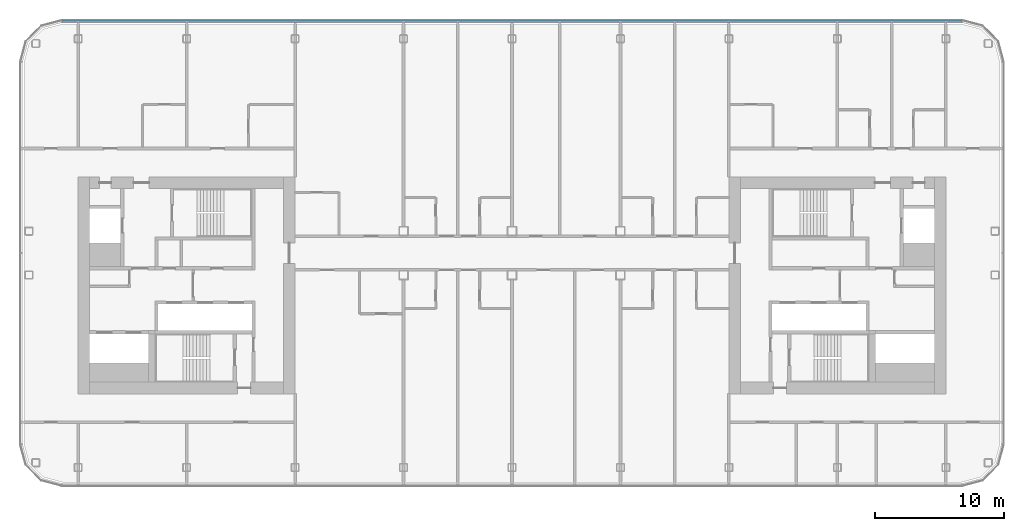
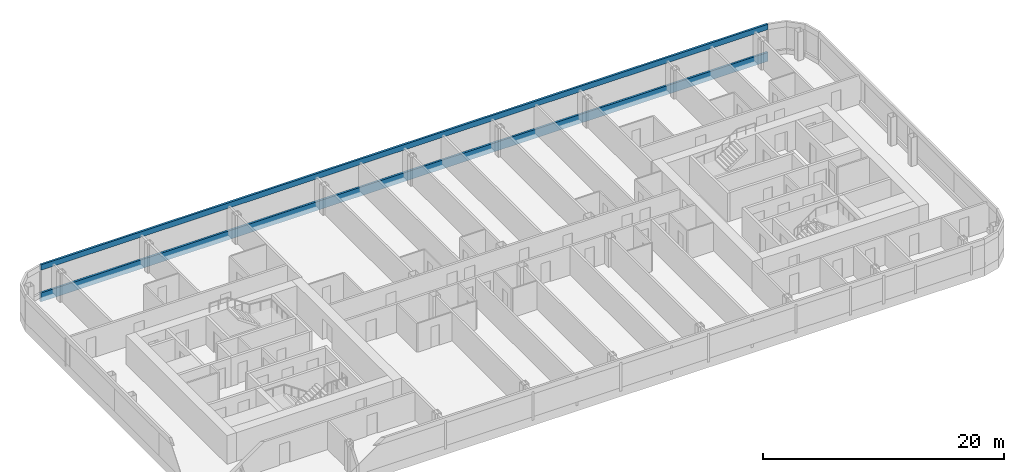
# One storey, part 8 of 26: 2 members, 1 element without a shape of its own.
"""IFC4 building model written with IfcOpenShell, lengths in metres."""

import ifcopenshell
import ifcopenshell.guid

model = None  # the IFC model being written
_history = None  # IfcOwnerHistory: only IFC2X3 demands one
_inside = {}  # id of a spatial element -> (the spatial element, [elements in it])
_under = {}  # id of a project, library or spatial element -> (it, [spatial elements below it])
_declared = {}  # id of a project -> (the project, [libraries it declares])
_typed = {}  # id of a type object -> (the type object, [elements of that type])
_made_of = {}  # id of a material, layer set ... -> (it, [elements and type objects made of it])


def new_model(schema):
    """Start an empty IFC model of exactly this schema.

    Asked for "IFC4X3", IfcOpenShell would pick the latest addendum, in which some entities
    have other attributes; the version numbers below select the first issue.
    IFC2X3 requires an IfcOwnerHistory on every rooted entity: one is made here for all.
    """
    global model, _history
    if schema == "IFC4X3":
        model = ifcopenshell.file(schema_version=(4, 3, 0, 0))
    else:
        model = ifcopenshell.file(schema=schema)
    _inside.clear()
    _under.clear()
    _declared.clear()
    _typed.clear()
    _made_of.clear()
    _history = None
    if model.schema == "IFC2X3":
        org = make("IfcOrganization", Name="unknown")
        user = make(
            "IfcPersonAndOrganization",
            ThePerson=make("IfcPerson", FamilyName="unknown"),
            TheOrganization=org,
        )
        app = make(
            "IfcApplication",
            ApplicationDeveloper=org,
            Version="unknown",
            ApplicationFullName="unknown",
            ApplicationIdentifier="unknown",
        )
        _history = make(
            "IfcOwnerHistory",
            OwningUser=user,
            OwningApplication=app,
            ChangeAction="ADDED",
            CreationDate=0,
        )
    return model


def make(cls, **values):
    """One entity of the class cls with the attributes given. An attribute that is None is left unset."""
    return model.create_entity(
        cls, **{name: value for name, value in values.items() if value is not None}
    )


def rooted(cls, **values):
    """An entity with a GlobalId (a new one), such as an element, a storey or a relation."""
    return make(cls, GlobalId=ifcopenshell.guid.new(), OwnerHistory=_history, **values)


def si_unit(unit_type, name, prefix=None):
    """IfcSIUnit, for example si_unit("LENGTHUNIT", "METRE", prefix="MILLI")."""
    return make("IfcSIUnit", UnitType=unit_type, Prefix=prefix, Name=name)


def assignment(units):
    """IfcUnitAssignment: the units of a project."""
    return None if units is None else make("IfcUnitAssignment", Units=units)


def point(xyz):
    """IfcCartesianPoint."""
    return None if xyz is None else make("IfcCartesianPoint", Coordinates=xyz)


def direction(xyz):
    """IfcDirection."""
    return None if xyz is None else make("IfcDirection", DirectionRatios=xyz)


def frame(location, z_axis=None, x_axis=None):
    """IfcAxis2Placement3D, a coordinate frame: its origin and axes. An axis left out is left unset."""
    return make(
        "IfcAxis2Placement3D",
        Location=point(location),
        Axis=direction(z_axis),
        RefDirection=direction(x_axis),
    )


def frame_2d(location, x_axis=None):
    """IfcAxis2Placement2D, a coordinate frame in the plane: its origin and x axis."""
    return make(
        "IfcAxis2Placement2D", Location=point(location), RefDirection=direction(x_axis)
    )


def origin():
    """The frame at (0, 0, 0) with its axes left unset."""
    return frame((0.0, 0.0, 0.0))


def origin_2d():
    """The frame at (0, 0) in the plane with its x axis left unset."""
    return frame_2d((0.0, 0.0))


def place(relative_to, where):
    """IfcLocalPlacement: puts the frame where relative to a parent placement (None: the world)."""
    return make(
        "IfcLocalPlacement", PlacementRelTo=relative_to, RelativePlacement=where
    )


def context(
    kind, dimensions, precision=None, world=None, true_north=None, identifier=None
):
    """IfcGeometricRepresentationContext, for example the 3D "Model" context."""
    return make(
        "IfcGeometricRepresentationContext",
        ContextIdentifier=identifier,
        ContextType=kind,
        CoordinateSpaceDimension=dimensions,
        Precision=precision,
        WorldCoordinateSystem=world,
        TrueNorth=true_north,
    )


def subcontext(parent, identifier, kind, view, scale=None):
    """IfcGeometricRepresentationSubContext, for example "Body" below "Model"."""
    return make(
        "IfcGeometricRepresentationSubContext",
        ContextIdentifier=identifier,
        ContextType=kind,
        ParentContext=parent,
        TargetScale=scale,
        TargetView=view,
    )


def project(units=None, contexts=None):
    """IfcProject with its units and contexts."""
    return rooted(
        "IfcProject",
        Name="project",
        RepresentationContexts=contexts,
        UnitsInContext=assignment(units),
    )


def spatial(cls, under=None, at=None, **own):
    """A site, building, storey or space (cls), placed at a placement, below another one or the project."""
    s = rooted(cls, ObjectPlacement=at, **own)
    if under is not None:
        _under.setdefault(under.id(), (under, []))[1].append(s)
    return s


def profile(cls, at=None, kind="AREA", **sizes):
    """A parametric profile (cls). Its sizes go by their IFC names, for example OverallWidth=200.0."""
    return make(cls, ProfileType=kind, Position=at, **sizes)


def rectangle(**sizes):
    """IfcRectangleProfileDef."""
    return profile("IfcRectangleProfileDef", **sizes)


def extrude(swept, where, along, depth):
    """IfcExtrudedAreaSolid: the profile swept, set in the frame where, extruded along a direction by depth."""
    return make(
        "IfcExtrudedAreaSolid",
        SweptArea=swept,
        Position=where,
        ExtrudedDirection=direction(along),
        Depth=depth,
    )


def shape(context_of_items, identifier, shape_type, items):
    """IfcShapeRepresentation: the items that make up one representation, for example the "Body"."""
    return make(
        "IfcShapeRepresentation",
        ContextOfItems=context_of_items,
        RepresentationIdentifier=identifier,
        RepresentationType=shape_type,
        Items=items,
    )


def material(Name=None, Category=None):
    """IfcMaterial."""
    return make("IfcMaterial", Name=Name, Category=Category)


def layer(
    of_material, thickness, ventilated=None, Name=None, Category=None, Priority=None
):
    """IfcMaterialLayer: one layer of a wall or slab, of a material (None: an air gap)."""
    return make(
        "IfcMaterialLayer",
        Material=of_material,
        LayerThickness=thickness,
        IsVentilated=ventilated,
        Name=Name,
        Category=Category,
        Priority=Priority,
    )


def layer_set(layers, Name=None):
    """IfcMaterialLayerSet."""
    return make("IfcMaterialLayerSet", MaterialLayers=layers, LayerSetName=Name)


def material_profile(
    of_material, cross_section, Name=None, Category=None, Priority=None
):
    """IfcMaterialProfile: a cross section and its material."""
    return make(
        "IfcMaterialProfile",
        Name=Name,
        Material=of_material,
        Profile=cross_section,
        Priority=Priority,
        Category=Category,
    )


def profile_set(profiles, Name=None, composite=None):
    """IfcMaterialProfileSet."""
    return make(
        "IfcMaterialProfileSet",
        Name=Name,
        MaterialProfiles=profiles,
        CompositeProfile=composite,
    )


def made_of(thing, what):
    """Note that an element or type object is made of a material, layer set ...; save() writes the relation."""
    if what is not None:
        _made_of.setdefault(what.id(), (what, []))[1].append(thing)
    return thing


def type_object(cls, material=None, **own):
    """A type object (cls), such as IfcWallType, which elements share."""
    return made_of(rooted(cls, **own), material)


def element(
    cls,
    number,
    at=None,
    inside=None,
    cuts=None,
    type_object=None,
    material=None,
    context=None,
    identifier="Body",
    shape_type=None,
    held_by="IfcProductDefinitionShape",
    body=None,
    shapes=None,
    **own,
):
    """One element of the class cls, such as IfcWall. Its Tag is "e" and its number.

    at: its placement. inside: the storey or other place that contains it. cuts: it is an
    opening in that element (IfcRelVoidsElement). A single representation is given by context,
    identifier, shape_type and body (its items); several are given by shapes. held_by: the class
    of the entity that holds the representations. save() writes the other relations.
    """
    e = rooted(cls, Tag="e%d" % number, ObjectPlacement=at, **own)
    if body is not None:
        shapes = [shape(context, identifier, shape_type, body)]
    if shapes is not None:
        e.Representation = make(held_by, Representations=shapes)
    if inside is not None:
        _inside.setdefault(inside.id(), (inside, []))[1].append(e)
    if cuts is not None:
        rooted(
            "IfcRelVoidsElement", RelatingBuildingElement=cuts, RelatedOpeningElement=e
        )
    if type_object is not None:
        _typed.setdefault(type_object.id(), (type_object, []))[1].append(e)
    return made_of(e, material)


def aggregate(whole, parts):
    """IfcRelAggregates: a whole, such as a stair, and the parts it consists of."""
    return rooted("IfcRelAggregates", RelatingObject=whole, RelatedObjects=parts)


def save(model, path):
    """Write the relations noted so far, then the file.

    IfcRelAggregates (storeys below a building ...), IfcRelContainedInSpatialStructure (elements
    in a storey), IfcRelDefinesByType, IfcRelAssociatesMaterial and IfcRelDeclares: one each for
    every whole, place, type object, material and project.
    """
    for whole, parts in _under.values():
        aggregate(whole, parts)
    for where, things in _inside.values():
        rooted(
            "IfcRelContainedInSpatialStructure",
            RelatedElements=things,
            RelatingStructure=where,
        )
    for kind, things in _typed.values():
        rooted("IfcRelDefinesByType", RelatedObjects=things, RelatingType=kind)
    for what, things in _made_of.values():
        rooted("IfcRelAssociatesMaterial", RelatedObjects=things, RelatingMaterial=what)
    for by, libraries in _declared.values():
        rooted("IfcRelDeclares", RelatingContext=by, RelatedDefinitions=libraries)
    model.write(path)


model = new_model("IFC4")

# Units and contexts
model_context = context("Model", 3, precision=1e-05, world=origin(), true_north=direction((0.0, 1.0)))
body_context = subcontext(model_context, "Body", "Model", "MODEL_VIEW")
ifc_project = project(units=[si_unit("LENGTHUNIT", "METRE"), si_unit("AREAUNIT", "SQUARE_METRE"), si_unit("VOLUMEUNIT", "CUBIC_METRE"), si_unit("PLANEANGLEUNIT", "RADIAN"), si_unit("MASSUNIT", "GRAM", prefix="KILO")], contexts=[model_context])

# Site, building, storey
site_placement = place(None, origin())
site = spatial("IfcSite", under=ifc_project, at=site_placement, CompositionType="ELEMENT")
building_placement = place(site_placement, origin())
building = spatial("IfcBuilding", under=site, at=building_placement, Name="Hakoniwa Tower and Hamabe Station Hall", CompositionType="ELEMENT")
storey_placement = place(building_placement, frame((0.0, 0.0, 225.0)))
storey = spatial("IfcBuildingStorey", under=building, at=storey_placement, Name="L64", CompositionType="ELEMENT", Elevation=225.0)

# Curtain wall, members
ifc_material_1 = material(Name="Dark low-e laminated glass", Category="glass")
ifc_layer = layer(ifc_material_1, 0.199951171875)
ifc_layer_set = layer_set([ifc_layer], Name="CW-1 UNITISED GUEST")
curtain_wall_type = type_object("IfcCurtainWallType", Name="CW-1 UNITISED GUEST", PredefinedType="NOTDEFINED", material=ifc_layer_set)
curtain_wall_placement = place(storey_placement, origin())
curtain_wall = element("IfcCurtainWall", 1, at=curtain_wall_placement, inside=storey, type_object=curtain_wall_type, Name="CW-1 curtain wall", PredefinedType="NOTDEFINED")
ifc_material_2 = material(Name="Aluminium 6063-T5 black anodised", Category="aluminium")
ifc_material_profile_1 = material_profile(ifc_material_2, rectangle(XDim=0.199951171875, YDim=0.550048828125, at=origin_2d()), Name="CW HEAD BAND 550X200")
ifc_profile_set_1 = profile_set([ifc_material_profile_1], Name="Aluminium 6063-T5 black anodised")
member_type_1 = type_object("IfcMemberType", Name="CW HEAD BAND 550X200", PredefinedType="USERDEFINED", material=ifc_profile_set_1)
member_1_placement = place(storey_placement, frame((34.839599609375, 20.449951171875, 2.925048828125), z_axis=(-1.0, 0.0, 0.0), x_axis=(0.0, -1.0, 0.0)))
member_1 = element("IfcMember", 2, at=member_1_placement, type_object=member_type_1, Name="CW-1 transom", ObjectType="TRANSOM", PredefinedType="USERDEFINED", context=body_context, shape_type="SweptSolid", body=[
    extrude(rectangle(XDim=0.199951171875, YDim=0.550048828125, at=origin_2d()), origin(), (0.0, 0.0, 1.0), 69.67919921875),
])
ifc_material_3 = material(Name="Aluminium 6063-T5 black anodised", Category="aluminium")
ifc_material_profile_2 = material_profile(ifc_material_3, rectangle(XDim=0.199951171875, YDim=0.89990234375, at=origin_2d()), Name="CW SLAB-EDGE BAND 900X200")
ifc_profile_set_2 = profile_set([ifc_material_profile_2], Name="Aluminium 6063-T5 black anodised")
member_type_2 = type_object("IfcMemberType", Name="CW SLAB-EDGE BAND 900X200", PredefinedType="USERDEFINED", material=ifc_profile_set_2)
member_2_placement = place(storey_placement, frame((34.839599609375, 20.449951171875, -0.10009765625), z_axis=(-1.0, 0.0, 0.0), x_axis=(0.0, -1.0, 0.0)))
member_2 = element("IfcMember", 3, at=member_2_placement, type_object=member_type_2, Name="CW-1 transom", ObjectType="TRANSOM", PredefinedType="USERDEFINED", context=body_context, shape_type="SweptSolid", body=[
    extrude(rectangle(XDim=0.199951171875, YDim=0.89990234375, at=origin_2d()), origin(), (0.0, 0.0, 1.0), 69.67919921875),
])
aggregate(curtain_wall, [member_2, member_1])

save(model, "model.ifc")
